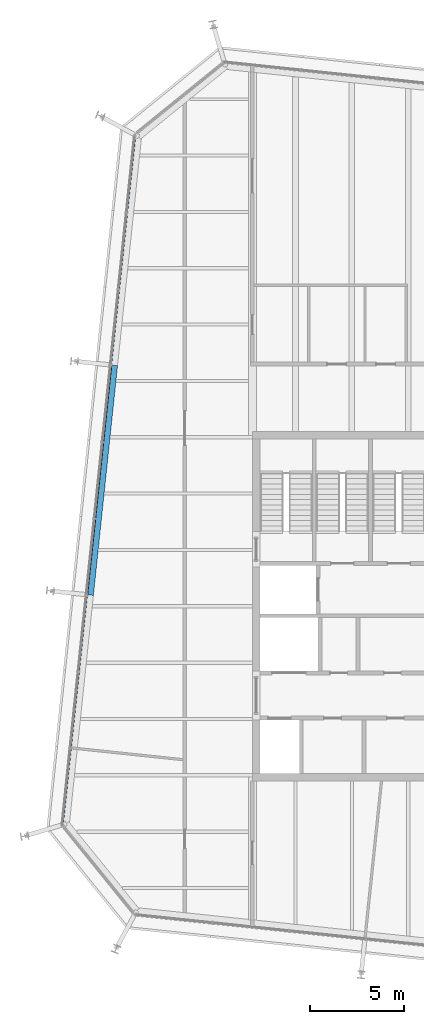
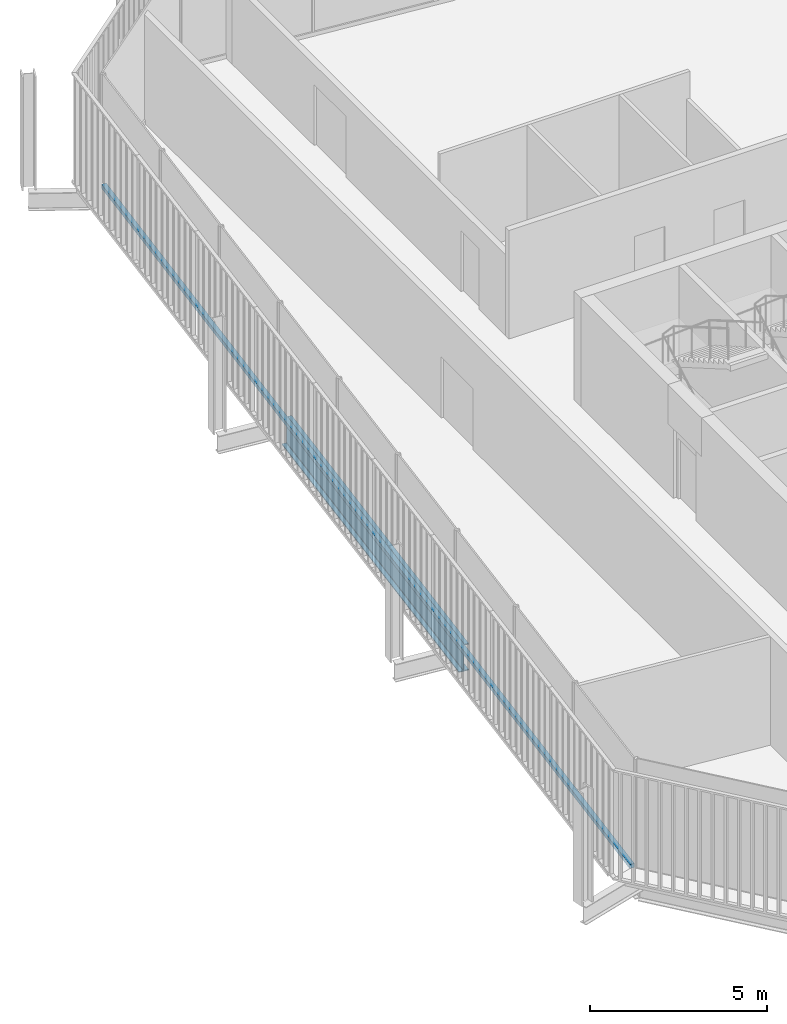
# One storey, part 7 of 20: 1 beam, 1 member, 1 element without a shape of its own.
"""IFC4 building model written with IfcOpenShell, lengths in metres."""

from ifc_helpers import new_model, si_unit, direction, frame, origin, origin_2d, place, context, subcontext, project, spatial, rectangle, i_section, extrude, material, layer, layer_set, material_profile, profile_set, type_object, element, aggregate, save


model = new_model("IFC4")

# Units and contexts
model_context = context("Model", 3, precision=1e-05, world=origin(), true_north=direction((0.0, 1.0)))
body_context = subcontext(model_context, "Body", "Model", "MODEL_VIEW")
ifc_project = project(units=[si_unit("LENGTHUNIT", "METRE"), si_unit("AREAUNIT", "SQUARE_METRE"), si_unit("VOLUMEUNIT", "CUBIC_METRE"), si_unit("PLANEANGLEUNIT", "RADIAN"), si_unit("MASSUNIT", "GRAM", prefix="KILO")], contexts=[model_context])

# Site, building, storey
site_placement = place(None, origin())
site = spatial("IfcSite", under=ifc_project, at=site_placement, CompositionType="ELEMENT")
building_placement = place(site_placement, origin())
building = spatial("IfcBuilding", under=site, at=building_placement, Name="Millrace Tower", CompositionType="ELEMENT")
storey_placement = place(building_placement, frame((0.0, 0.0, 287.699951171875)))
storey = spatial("IfcBuildingStorey", under=building, at=storey_placement, Name="L66", CompositionType="ELEMENT", Elevation=287.699951171875)

# Curtain wall, member
ifc_material_1 = material(Name="Aluminium and glass", Category="aluminium")
ifc_layer = layer(ifc_material_1, 0.14990234375)
ifc_layer_set = layer_set([ifc_layer], Name="Aluminium and glass")
curtain_wall_type = type_object("IfcCurtainWallType", Name="CW-1 office vision curtain wall", PredefinedType="NOTDEFINED", material=ifc_layer_set)
curtain_wall_placement = place(storey_placement, origin())
curtain_wall = element("IfcCurtainWall", 1, at=curtain_wall_placement, inside=storey, type_object=curtain_wall_type, Name="Curtain wall E-F08 L66", PredefinedType="NOTDEFINED")
ifc_material_2 = material(Name="Aluminium", Category="aluminium")
ifc_material_profile_1 = material_profile(ifc_material_2, rectangle(XDim=0.14990234375, YDim=0.139892578125, at=origin_2d()))
ifc_profile_set_1 = profile_set([ifc_material_profile_1], Name="Aluminium")
member_type = type_object("IfcMemberType", Name="CW-1 office vision curtain wall transom", PredefinedType="USERDEFINED", material=ifc_profile_set_1)
member_placement = place(storey_placement, frame((-20.581787109375, 24.9853515625, 0.070068359375), z_axis=(-0.104527916025, -0.994521952886, 0.0), x_axis=(0.994521952886, -0.104527916025, 0.0)))
member = element("IfcMember", 2, at=member_placement, type_object=member_type, Name="CW1 transom E-F08.1", ObjectType="TRANSOM", PredefinedType="USERDEFINED", context=body_context, shape_type="SweptSolid", body=[
    extrude(rectangle(XDim=0.14990234375, YDim=0.139892578125, at=origin_2d()), origin(), (0.0, 0.0, 1.0), 36.699951171875),
])
aggregate(curtain_wall, [member])

# Beam
ifc_material_3 = material(Name="Steel ASTM A992 Grade 50", Category="steel")
ifc_material_profile_2 = material_profile(ifc_material_3, i_section(OverallWidth=0.307373046875, OverallDepth=0.927001953125, WebThickness=0.01953125, FlangeThickness=0.031982421875, FilletRadius=0.01904296875, at=origin_2d()))
ifc_profile_set_2 = profile_set([ifc_material_profile_2], Name="Steel ASTM A992 Grade 50")
beam_type = type_object("IfcBeamType", Name="Ring beam medium span W36x194", PredefinedType="SPANDREL", material=ifc_profile_set_2)
beam_placement = place(storey_placement, frame((-22.915283203125, 0.595703125, -0.62353515625), z_axis=(0.104523600289, 0.994522406476, 0.0), x_axis=(-0.994522406476, 0.104523600289, 0.0)))
element("IfcBeam", 3, at=beam_placement, inside=storey, type_object=beam_type, Name="RNG-E-L66-S1-02", PredefinedType="SPANDREL", context=body_context, shape_type="SweptSolid", body=[
    extrude(i_section(OverallWidth=0.307373046875, OverallDepth=0.927001953125, WebThickness=0.01953125, FlangeThickness=0.031982421875, FilletRadius=0.01904296875, at=origin_2d()), origin(), (0.0, 0.0, 1.0), 12.300048828125),
])

save(model, "model.ifc")
